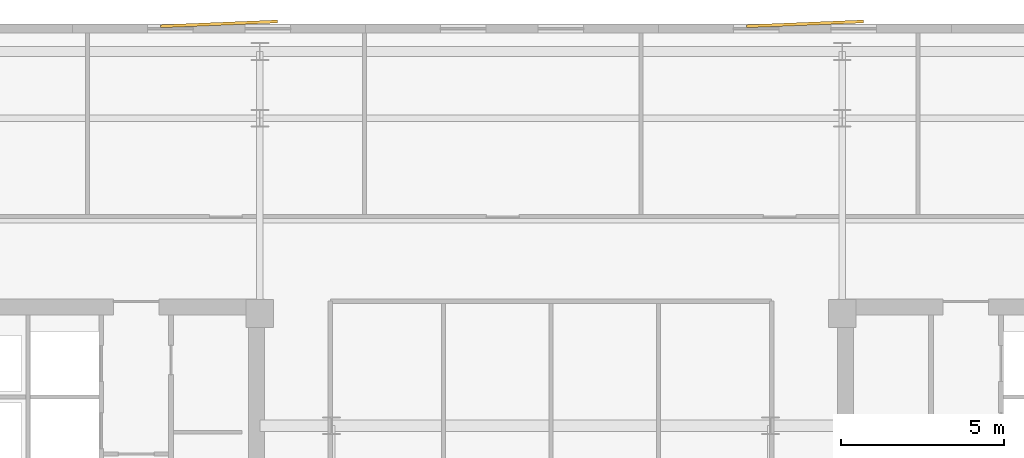
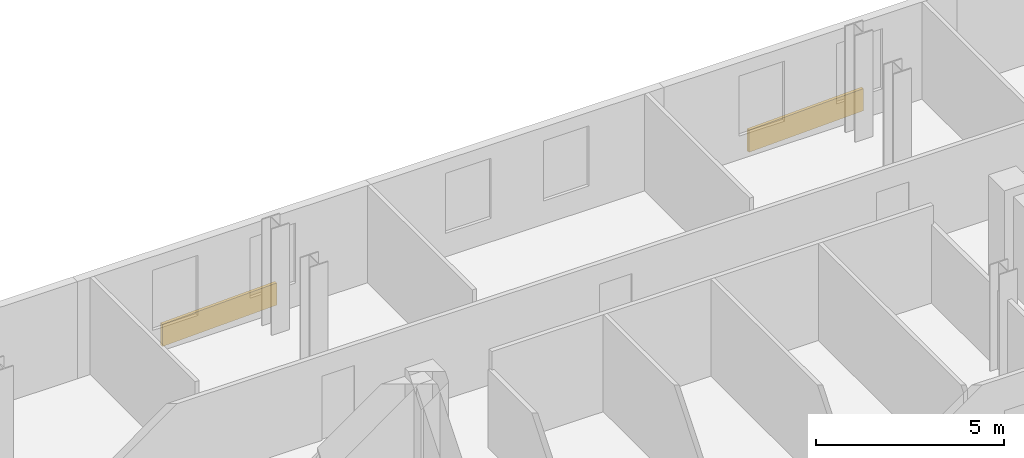
# One storey, part 10 of 10: 2 coverings.
"""IFC4 building model written with IfcOpenShell, lengths in metres."""

from ifc_helpers import new_model, si_unit, direction, frame, origin, origin_2d, place, context, subcontext, project, spatial, rectangle, extrude, material, layer, layer_set, type_object, element, save


model = new_model("IFC4")

# Units and contexts
model_context = context("Model", 3, precision=1e-05, world=origin(), true_north=direction((0.0, 1.0)))
body_context = subcontext(model_context, "Body", "Model", "MODEL_VIEW")
ifc_project = project(units=[si_unit("LENGTHUNIT", "METRE"), si_unit("AREAUNIT", "SQUARE_METRE"), si_unit("VOLUMEUNIT", "CUBIC_METRE"), si_unit("PLANEANGLEUNIT", "RADIAN"), si_unit("MASSUNIT", "GRAM", prefix="KILO")], contexts=[model_context])

# Site, building, storey
site_placement = place(None, origin())
site = spatial("IfcSite", under=ifc_project, at=site_placement, CompositionType="ELEMENT")
building_placement = place(site_placement, origin())
building = spatial("IfcBuilding", under=site, at=building_placement, Name="Velakula Bourse", CompositionType="ELEMENT")
storey_placement = place(building_placement, frame((0.0, 0.0, 239.550048828125)))
storey = spatial("IfcBuildingStorey", under=building, at=storey_placement, Name="L65", CompositionType="ELEMENT", Elevation=239.550048828125)

# Coverings
ifc_material = material(Name="Red kilned clay facing brick masonry", Category="masonry")
ifc_layer = layer(ifc_material, 0.090087890625, Name="Red kilned clay facing brick masonry", Category="masonry")
ifc_layer_set = layer_set([ifc_layer], Name="Red kilned clay facing brick masonry")
covering_type = type_object("IfcCoveringType", Name="COV-BRK-FOLD-90", PredefinedType="CLADDING", material=ifc_layer_set)
for number, where, z_axis, x_axis, name in (
    (1, (-10.199951171875, 17.5, 0.0), (0.0, 0.0, 1.0), (0.999158993058, 0.041003738744, 0.0), "L65 Folded Brick Facade Cladding Panel N-B2"),
    (2, (7.800048828125, 17.5, 0.0), (0.0, 0.0, 1.0), (0.999158993058, 0.041003738744, 0.0), "L65 Folded Brick Facade Cladding Panel N-B4"),
):
    element("IfcCovering", number, at=place(storey_placement, frame(where, z_axis=z_axis, x_axis=x_axis)), inside=storey, type_object=covering_type, Name=name, PredefinedType="CLADDING", context=body_context, shape_type="SweptSolid", body=[
        extrude(rectangle(XDim=3.60009765625, YDim=0.090087890625, at=origin_2d()), origin(), (0.0, 0.0, 1.0), 0.719970703125),
    ])

save(model, "model.ifc")
